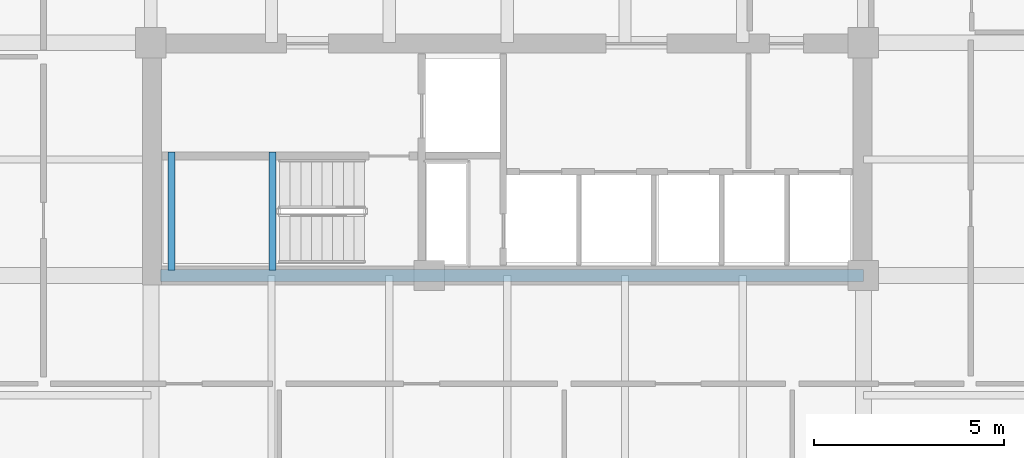
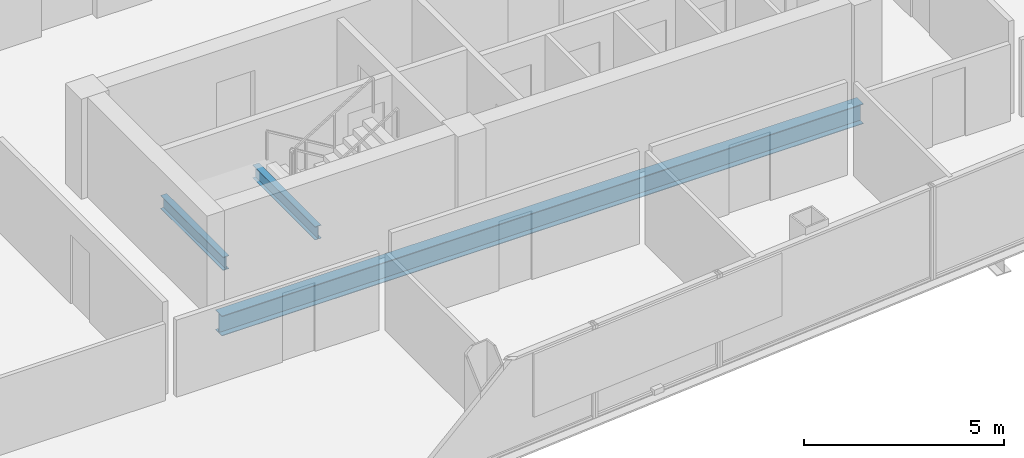
# One storey, part 5 of 22: 3 beams.
"""IFC4 building model written with IfcOpenShell, lengths in metres."""

from ifc_helpers import new_model, si_unit, direction, frame, origin, origin_2d, place, context, subcontext, project, spatial, i_section, extrude, material, material_profile, profile_set, type_object, element, save


model = new_model("IFC4")

# Units and contexts
model_context = context("Model", 3, precision=1e-05, world=origin(), true_north=direction((0.0, 1.0)))
body_context = subcontext(model_context, "Body", "Model", "MODEL_VIEW")
ifc_project = project(units=[si_unit("LENGTHUNIT", "METRE"), si_unit("AREAUNIT", "SQUARE_METRE"), si_unit("VOLUMEUNIT", "CUBIC_METRE"), si_unit("PLANEANGLEUNIT", "RADIAN"), si_unit("MASSUNIT", "GRAM", prefix="KILO")], contexts=[model_context])

# Site, building, storey
site_placement = place(None, origin())
site = spatial("IfcSite", under=ifc_project, at=site_placement, CompositionType="ELEMENT")
building_placement = place(site_placement, origin())
building = spatial("IfcBuilding", under=site, at=building_placement, Name="Qhalaya Broadcast Tower", CompositionType="ELEMENT")
storey_placement = place(building_placement, frame((0.0, 0.0, 174.449951171875)))
storey = spatial("IfcBuildingStorey", under=building, at=storey_placement, Name="L51", CompositionType="ELEMENT", Elevation=174.449951171875)

# Beams
ifc_material = material(Name="Structural Steel ASTM A992 Grade 50", Category="steel")
ifc_material_profile_1 = material_profile(ifc_material, i_section(OverallWidth=0.323974609375, OverallDepth=0.612060546875, WebThickness=0.0126953125, FlangeThickness=0.01904296875, at=origin_2d()), Name="W24X104")
ifc_profile_set_1 = profile_set([ifc_material_profile_1], Name="Structural Steel ASTM A992 Grade 50")
beam_type_1 = type_object("IfcBeamType", Name="Core Frame Tie Beam B04", PredefinedType="BEAM", material=ifc_profile_set_1)
beam_placement = place(storey_placement, frame((-9.1201171875, -8.75, -0.52587890625), z_axis=(1.0, 0.0, 0.0), x_axis=(0.0, 1.0, 0.0)))
element("IfcBeam", 1, at=beam_placement, inside=storey, type_object=beam_type_1, Name="L51 B04 L51-CCS3", PredefinedType="BEAM", context=body_context, shape_type="SweptSolid", body=[
    extrude(i_section(OverallWidth=0.323974609375, OverallDepth=0.612060546875, WebThickness=0.0126953125, FlangeThickness=0.01904296875, at=origin_2d()), origin(), (0.0, 0.0, 1.0), 18.4951171875),
])
ifc_material_profile_2 = material_profile(ifc_material, i_section(OverallWidth=0.177978515625, OverallDepth=0.406005859375, WebThickness=0.0078125, FlangeThickness=0.0126953125, at=origin_2d()), Name="W16X40")
ifc_profile_set_2 = profile_set([ifc_material_profile_2], Name="Structural Steel ASTM A992 Grade 50")
beam_type_2 = type_object("IfcBeamType", Name="Upper Perimeter Spandrel Beam SP2", PredefinedType="SPANDREL", material=ifc_profile_set_2)
for number, where, z_axis, x_axis, name in (
    (2, (-8.830078125, -8.6201171875, 1.1220703125), (0.0, 1.0, 0.0), (-1.0, 0.0, 0.0), "L51 ST-2 Half-Landing Bearer Beam 1"),
    (3, (-6.175048828125, -8.6201171875, 1.1220703125), (0.0, 1.0, 0.0), (-1.0, 0.0, 0.0), "L51 ST-2 Half-Landing Bearer Beam 2"),
):
    element("IfcBeam", number, at=place(storey_placement, frame(where, z_axis=z_axis, x_axis=x_axis)), inside=storey, type_object=beam_type_2, Name=name, PredefinedType="SPANDREL", context=body_context, shape_type="SweptSolid", body=[
        extrude(i_section(OverallWidth=0.177978515625, OverallDepth=0.406005859375, WebThickness=0.0078125, FlangeThickness=0.0126953125, at=origin_2d()), origin(), (0.0, 0.0, 1.0), 3.1201171875),
    ])

save(model, "model.ifc")
